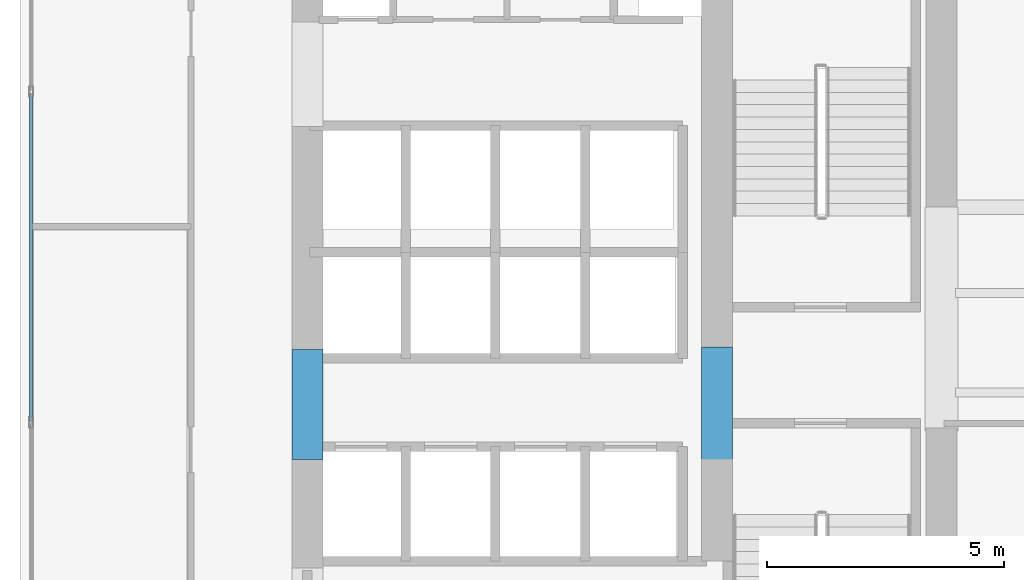
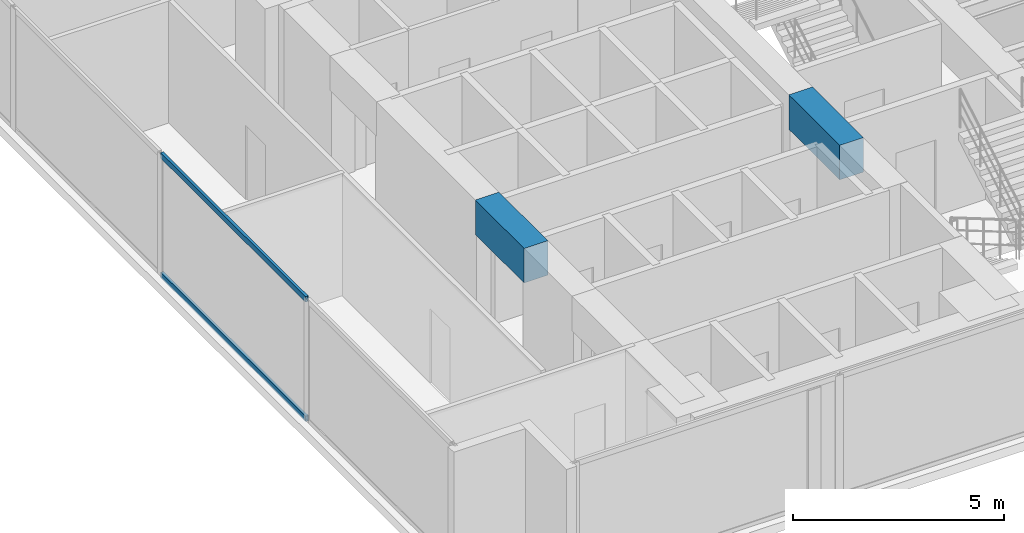
# One storey, part 3 of 28: 2 beams, 2 members, 1 element without a shape of its own.
"""IFC4 building model written with IfcOpenShell, lengths in metres."""

from ifc_helpers import new_model, si_unit, direction, frame, origin, origin_with_axes, origin_2d, place, context, subcontext, project, spatial, rectangle, hollow_rectangle, extrude, source, transform, mapped, material, layer, layer_set, material_profile, profile_set, type_object, element, aggregate, save


model = new_model("IFC4")

# Units and contexts
model_context = context("Model", 3, precision=1e-05, world=origin(), true_north=direction((0.0, 1.0)))
body_context = subcontext(model_context, "Body", "Model", "MODEL_VIEW")
ifc_project = project(units=[si_unit("LENGTHUNIT", "METRE"), si_unit("AREAUNIT", "SQUARE_METRE"), si_unit("VOLUMEUNIT", "CUBIC_METRE"), si_unit("PLANEANGLEUNIT", "RADIAN"), si_unit("MASSUNIT", "GRAM", prefix="KILO")], contexts=[model_context])

# Site, building, storey
site_placement = place(None, origin())
site = spatial("IfcSite", under=ifc_project, at=site_placement, CompositionType="ELEMENT")
building_placement = place(site_placement, origin())
building = spatial("IfcBuilding", under=site, at=building_placement, Name="Kolvaren Waterfront Exchange", CompositionType="ELEMENT")
storey_placement = place(building_placement, frame((0.0, 0.0, 103.10009765625)))
storey = spatial("IfcBuildingStorey", under=building, at=storey_placement, Name="L26", CompositionType="ELEMENT", Elevation=103.10009765625)

# Beams
ifc_material_1 = material(Name="Concrete C60/75", Category="concrete")
ifc_material_profile_1 = material_profile(ifc_material_1, rectangle(XDim=0.64990234375, YDim=1.0, at=origin_2d()), Name="RC-CB-1000x650")
ifc_profile_set_1 = profile_set([ifc_material_profile_1], Name="Concrete C60/75")
beam_type = type_object("IfcBeamType", Name="STR-CB-1000", PredefinedType="SPANDREL", material=ifc_profile_set_1)
beam_1_placement = place(storey_placement, frame((7.449951171875, 12.090087890625, 3.039794921875), z_axis=(0.0, 1.0, 0.0), x_axis=(-1.0, 0.0, 0.0)))
element("IfcBeam", 1, at=beam_1_placement, inside=storey, type_object=beam_type, Name="L26 core coupling beam 4", PredefinedType="SPANDREL", context=body_context, shape_type="SweptSolid", body=[
    extrude(rectangle(XDim=0.64990234375, YDim=1.0, at=origin_2d()), origin(), (0.0, 0.0, 1.0), 2.31982421875),
])
beam_2_placement = place(storey_placement, frame((16.074951171875, 12.0400390625, 3.039794921875), z_axis=(0.0, 1.0, 0.0), x_axis=(-1.0, 0.0, 0.0)))
element("IfcBeam", 2, at=beam_2_placement, inside=storey, type_object=beam_type, Name="L26 core coupling beam 6", PredefinedType="SPANDREL", context=body_context, shape_type="SweptSolid", body=[
    extrude(rectangle(XDim=0.64990234375, YDim=1.0, at=origin_2d()), origin(), (0.0, 0.0, 1.0), 2.419921875),
])

# Curtain wall, members
ifc_material_2 = material(Name="Anodised aluminium 6063-T6", Category="aluminium")
ifc_layer = layer(ifc_material_2, 0.219970703125, Name="Anodised aluminium 6063-T6")
ifc_layer_set = layer_set([ifc_layer], Name="Anodised aluminium 6063-T6")
curtain_wall_type = type_object("IfcCurtainWallType", Name="ARC-CW-SYS2", PredefinedType="USERDEFINED", material=ifc_layer_set)
curtain_wall_placement = place(storey_placement, origin())
curtain_wall = element("IfcCurtainWall", 3, at=curtain_wall_placement, inside=storey, type_object=curtain_wall_type, Name="L26 stick curtain wall CW2 (CW-L26-W)", ObjectType="STICK CURTAIN WALL", PredefinedType="USERDEFINED")
ifc_material_profile_2 = material_profile(ifc_material_2, hollow_rectangle(XDim=0.074951171875, YDim=0.159912109375, WallThickness=0.00439453125, at=origin_2d()), Name="ALU-TRN-160x75x4.5")
ifc_profile_set_2 = profile_set([ifc_material_profile_2], Name="Anodised aluminium 6063-T6")
member_type = type_object("IfcMemberType", Name="ARC-CWT-160", PredefinedType="USERDEFINED", material=ifc_profile_set_2)
shared_shape = source(origin_with_axes(), body_context, "Body", "SweptSolid", [
    extrude(hollow_rectangle(XDim=0.074951171875, YDim=0.159912109375, WallThickness=0.00439453125, at=origin_2d()), origin(), (0.0, 0.0, 1.0), 6.886474609375),
])
member_1_placement = place(storey_placement, frame((1.639892578125, 12.90673828125, 0.037353515625), z_axis=(0.0, 1.0, 0.0), x_axis=(-1.0, 0.0, 0.0)))
member_1 = element("IfcMember", 4, at=member_1_placement, type_object=member_type, Name="CW2 transom 2.1", ObjectType="TRANSOM", PredefinedType="USERDEFINED", context=body_context, shape_type="MappedRepresentation", body=[
    mapped(shared_shape, transform((0.0, 0.0, 0.0), x_axis=(1.0, 0.0, 0.0), y_axis=(0.0, 1.0, 0.0), z_axis=(0.0, 0.0, 1.0), scale=1.0)),
])
member_2_placement = place(storey_placement, frame((1.639892578125, 12.90673828125, 3.50244140625), z_axis=(0.0, 1.0, 0.0), x_axis=(-1.0, 0.0, 0.0)))
member_2 = element("IfcMember", 5, at=member_2_placement, type_object=member_type, Name="CW2 transom 2.2", ObjectType="TRANSOM", PredefinedType="USERDEFINED", context=body_context, shape_type="MappedRepresentation", body=[
    mapped(shared_shape, transform((0.0, 0.0, 0.0), x_axis=(1.0, 0.0, 0.0), y_axis=(0.0, 1.0, 0.0), z_axis=(0.0, 0.0, 1.0), scale=1.0)),
])
aggregate(curtain_wall, [member_1, member_2])

save(model, "model.ifc")
